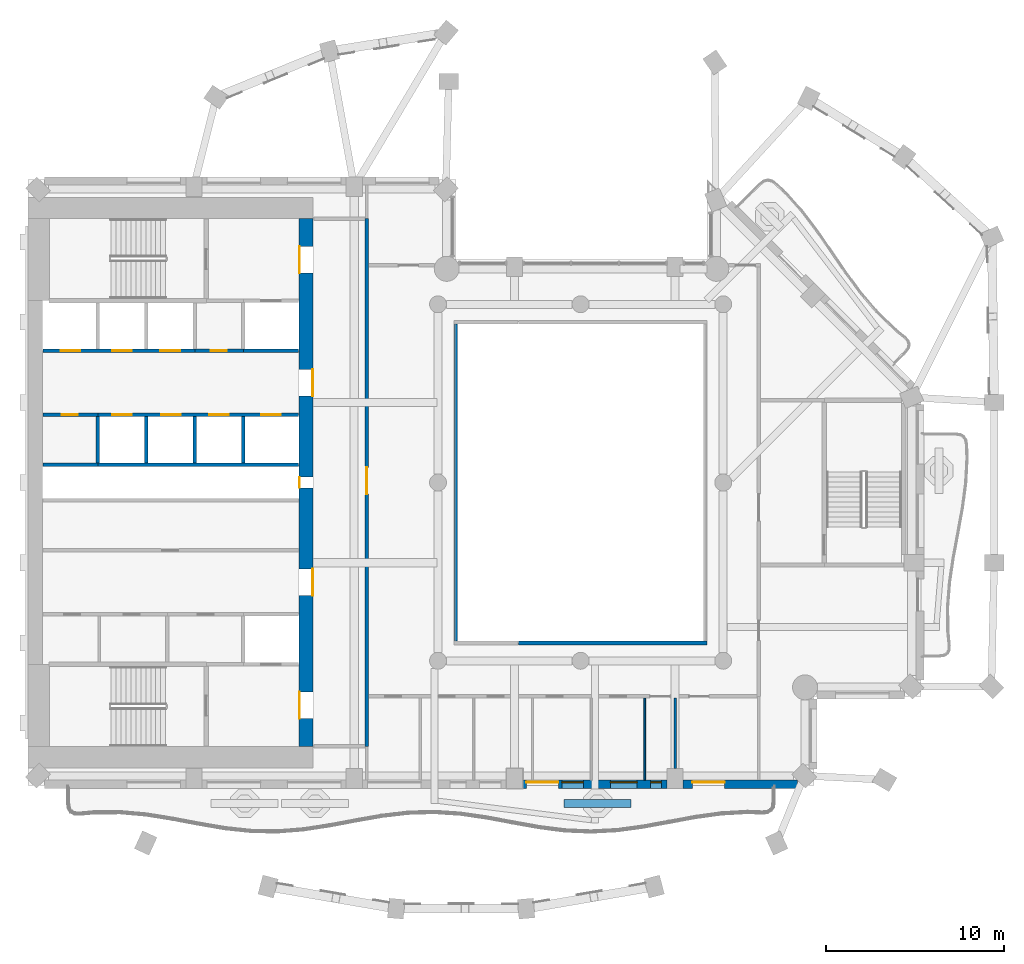
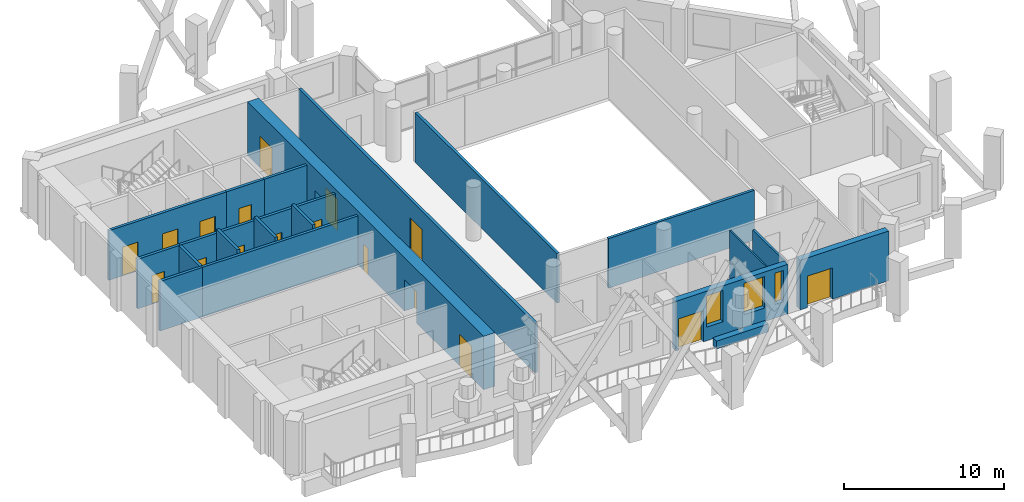
# One storey, part 5 of 16: 20 walls, 17 doors, 3 windows, 20 openings.
"""IFC4 building model written with IfcOpenShell, lengths in metres."""

from ifc_helpers import new_model, si_unit, direction, frame, frame_2d, origin, place, context, subcontext, project, spatial, rectangle, extrude, material, layer, layer_set, type_object, element, fill, save


model = new_model("IFC4")

# Units and contexts
model_context = context("Model", 3, precision=1e-05, world=origin(), true_north=direction((0.0, 1.0)))
body_context = subcontext(model_context, "Body", "Model", "MODEL_VIEW")
ifc_project = project(units=[si_unit("LENGTHUNIT", "METRE"), si_unit("AREAUNIT", "SQUARE_METRE"), si_unit("VOLUMEUNIT", "CUBIC_METRE"), si_unit("PLANEANGLEUNIT", "RADIAN"), si_unit("MASSUNIT", "GRAM", prefix="KILO")], contexts=[model_context])

# Site, building, storey
site_placement = place(None, origin())
site = spatial("IfcSite", under=ifc_project, at=site_placement, CompositionType="ELEMENT")
building_placement = place(site_placement, origin())
building = spatial("IfcBuilding", under=site, at=building_placement, Name="Cypress Arch Tower", CompositionType="ELEMENT")
storey_placement = place(building_placement, frame((0.0, 0.0, 181.0)))
storey = spatial("IfcBuildingStorey", under=building, at=storey_placement, Name="L39", CompositionType="ELEMENT", Elevation=181.0)

# Wall
ifc_material_1 = material(Name="Concrete C40/50, waterproofed", Category="concrete")
ifc_layer_1 = layer(ifc_material_1, 0.449951171875)
ifc_layer_set_1 = layer_set([ifc_layer_1], Name="Balcony planter wall PW450")
wall_type_1 = type_object("IfcWallType", Name="Balcony planter wall PW450", PredefinedType="SOLIDWALL", material=ifc_layer_set_1)
wall_1_placement = place(storey_placement, frame((0.070068359375, -18.0, 0.0), z_axis=(0.0, 0.0, 1.0), x_axis=(1.0, 0.0, 0.0)))
element("IfcWall", 1, at=wall_1_placement, inside=storey, type_object=wall_type_1, Name="Balcony planter wall L39-B01.3", PredefinedType="SOLIDWALL", context=body_context, shape_type="SweptSolid", body=[
    extrude(rectangle(XDim=3.760009765625, YDim=0.449951171875, at=frame_2d((1.8798828125, 0.0))), origin(), (0.0, 0.0, 1.0), 0.60009765625),
])

# Wall, openings, door, windows
ifc_material_2 = material(Name="Brick (red buff blend)", Category="masonry")
ifc_layer_2 = layer(ifc_material_2, 0.449951171875)
ifc_layer_set_2 = layer_set([ifc_layer_2], Name="Brick pier and spandrel wall BW450")
wall_type_2 = type_object("IfcWallType", Name="Brick pier and spandrel wall BW450", PredefinedType="SOLIDWALL", material=ifc_layer_set_2)
wall_2_placement = place(storey_placement, frame((-2.25, -16.925048828125, 0.0), z_axis=(0.0, 0.0, 1.0), x_axis=(1.0, 0.0, 0.0)))
wall_2 = element("IfcWall", 2, at=wall_2_placement, inside=storey, type_object=wall_type_2, Name="Brick wall L39 B01.3", PredefinedType="SOLIDWALL", context=body_context, shape_type="SweptSolid", body=[
    extrude(rectangle(XDim=8.10009765625, YDim=0.449951171875, at=frame_2d((4.050048828125, 0.0))), origin(), (0.0, 0.0, 1.0), 3.800048828125),
])
opening_1_placement = place(wall_2_placement, frame((0.199951171875, 0.0, 0.0)))
opening_1 = element("IfcOpeningElement", 3, at=opening_1_placement, cuts=wall_2, Name="Opening D-L39-B01.3.1", PredefinedType="OPENING", context=body_context, shape_type="SweptSolid", body=[
    extrude(rectangle(XDim=1.800048828125, YDim=2.39990234375, at=frame_2d((0.89990234375, 1.199951171875))), frame((0.0, 0.23486328125, 0.0), z_axis=(0.0, -1.0, 0.0), x_axis=(1.0, 0.0, 0.0)), (0.0, 0.0, 1.0), 0.469970703125),
])
opening_2_placement = place(wall_2_placement, frame((2.199951171875, 0.0, 1.050048828125)))
opening_2 = element("IfcOpeningElement", 4, at=opening_2_placement, cuts=wall_2, Name="Opening W120OD", PredefinedType="OPENING", context=body_context, shape_type="SweptSolid", body=[
    extrude(rectangle(XDim=1.199951171875, YDim=2.39990234375, at=frame_2d((0.60009765625, 1.199951171875))), frame((0.0, 0.23486328125, 0.0), z_axis=(0.0, -1.0, 0.0), x_axis=(1.0, 0.0, 0.0)), (0.0, 0.0, 1.0), 0.469970703125),
])
opening_3_placement = place(wall_2_placement, frame((4.925537109375, 0.0, 1.050048828125)))
opening_3 = element("IfcOpeningElement", 5, at=opening_3_placement, cuts=wall_2, Name="Opening W150OD", PredefinedType="OPENING", context=body_context, shape_type="SweptSolid", body=[
    extrude(rectangle(XDim=1.5, YDim=2.39990234375, at=frame_2d((0.75, 1.199951171875))), frame((0.0, 0.23486328125, 0.0), z_axis=(0.0, -1.0, 0.0), x_axis=(1.0, 0.0, 0.0)), (0.0, 0.0, 1.0), 0.469970703125),
])
opening_4_placement = place(wall_2_placement, frame((7.175537109375, 0.0, 1.050048828125)))
opening_4 = element("IfcOpeningElement", 6, at=opening_4_placement, cuts=wall_2, Name="Opening W060OD", PredefinedType="OPENING", context=body_context, shape_type="SweptSolid", body=[
    extrude(rectangle(XDim=0.60009765625, YDim=2.39990234375, at=frame_2d((0.300048828125, 1.199951171875))), frame((0.0, 0.23486328125, 0.0), z_axis=(0.0, -1.0, 0.0), x_axis=(1.0, 0.0, 0.0)), (0.0, 0.0, 1.0), 0.469970703125),
])
ifc_material_3 = material(Name="Anodised aluminium, bronze finish, laminated low-emissivity double glazing, large-missile impact rated", Category="aluminium")
door_type_1 = type_object("IfcDoorType", Name="Balcony sliding door 1800x2400", OperationType="SLIDING_TO_LEFT", PredefinedType="DOOR", material=ifc_material_3)
door_1_placement = place(opening_1_placement, origin())
door_1 = element("IfcDoor", 7, at=door_1_placement, inside=storey, type_object=door_type_1, Name="Balcony door L39 B01.3.1", OperationType="SLIDING_TO_LEFT", OverallHeight=2.39990234375, OverallWidth=1.800048828125, PredefinedType="DOOR", context=body_context, shape_type="SweptSolid", body=[
    extrude(rectangle(XDim=1.800048828125, YDim=2.39990234375, at=frame_2d((0.89990234375, 1.199951171875))), frame((0.0, 0.1298828125, 0.0), z_axis=(0.0, -1.0, 0.0), x_axis=(1.0, 0.0, 0.0)), (0.0, 0.0, 1.0), 0.050048828125),
])
fill(opening_1, door_1)
ifc_material_4 = material(Name="Anodised aluminium, bronze finish, laminated low-emissivity double glazing, large-missile impact rated", Category="aluminium")
window_type_1 = type_object("IfcWindowType", Name="Window Office 1200x2400 debris-rated", PartitioningType="SINGLE_PANEL", PredefinedType="WINDOW", material=ifc_material_4)
window_1_placement = place(opening_2_placement, origin())
window_1 = element("IfcWindow", 8, at=window_1_placement, inside=storey, type_object=window_type_1, Name="Window L39 B01.3.1", OverallHeight=2.39990234375, OverallWidth=1.199951171875, PartitioningType="SINGLE_PANEL", PredefinedType="WINDOW", context=body_context, shape_type="SweptSolid", body=[
    extrude(rectangle(XDim=1.199951171875, YDim=2.39990234375, at=frame_2d((0.60009765625, 1.199951171875))), frame((0.0, 0.135009765625, 0.0), z_axis=(0.0, -1.0, 0.0), x_axis=(1.0, 0.0, 0.0)), (0.0, 0.0, 1.0), 0.06005859375),
])
fill(opening_2, window_1)
ifc_material_5 = material(Name="Anodised aluminium, bronze finish, laminated low-emissivity double glazing, large-missile impact rated", Category="aluminium")
window_type_2 = type_object("IfcWindowType", Name="Window Office 1500x2400 debris-rated", PartitioningType="SINGLE_PANEL", PredefinedType="WINDOW", material=ifc_material_5)
window_2_placement = place(opening_3_placement, origin())
window_2 = element("IfcWindow", 9, at=window_2_placement, inside=storey, type_object=window_type_2, Name="Window L39 B01.3.2", OverallHeight=2.39990234375, OverallWidth=1.5, PartitioningType="SINGLE_PANEL", PredefinedType="WINDOW", context=body_context, shape_type="SweptSolid", body=[
    extrude(rectangle(XDim=1.5, YDim=2.39990234375, at=frame_2d((0.75, 1.199951171875))), frame((0.0, 0.135009765625, 0.0), z_axis=(0.0, -1.0, 0.0), x_axis=(1.0, 0.0, 0.0)), (0.0, 0.0, 1.0), 0.06005859375),
])
fill(opening_3, window_2)
ifc_material_6 = material(Name="Anodised aluminium, bronze finish, laminated low-emissivity double glazing, large-missile impact rated", Category="aluminium")
window_type_3 = type_object("IfcWindowType", Name="Window Office 600x2400 debris-rated", PartitioningType="SINGLE_PANEL", PredefinedType="WINDOW", material=ifc_material_6)
window_3_placement = place(opening_4_placement, origin())
window_3 = element("IfcWindow", 10, at=window_3_placement, inside=storey, type_object=window_type_3, Name="Window L39 B01.3.2b", OverallHeight=2.39990234375, OverallWidth=0.60009765625, PartitioningType="SINGLE_PANEL", PredefinedType="WINDOW", context=body_context, shape_type="SweptSolid", body=[
    extrude(rectangle(XDim=0.60009765625, YDim=2.39990234375, at=frame_2d((0.300048828125, 1.199951171875))), frame((0.0, 0.135009765625, 0.0), z_axis=(0.0, -1.0, 0.0), x_axis=(1.0, 0.0, 0.0)), (0.0, 0.0, 1.0), 0.06005859375),
])
fill(opening_4, window_3)

# Wall, opening, door
wall_3_placement = place(storey_placement, frame((6.75, -16.925048828125, 0.0), z_axis=(0.0, 0.0, 1.0), x_axis=(1.0, 0.0, 0.0)))
wall_3 = element("IfcWall", 11, at=wall_3_placement, inside=storey, type_object=wall_type_2, Name="Brick wall L39 B01.4", PredefinedType="SOLIDWALL", context=body_context, shape_type="SweptSolid", body=[
    extrude(rectangle(XDim=6.41357421875, YDim=0.449951171875, at=frame_2d((3.206787109375, 0.0))), origin(), (0.0, 0.0, 1.0), 3.800048828125),
])
opening_5_placement = place(wall_3_placement, frame((0.52490234375, 0.0, 0.0)))
opening_5 = element("IfcOpeningElement", 12, at=opening_5_placement, cuts=wall_3, Name="Opening D-L39-B01.4.1", PredefinedType="OPENING", context=body_context, shape_type="SweptSolid", body=[
    extrude(rectangle(XDim=1.800048828125, YDim=2.39990234375, at=frame_2d((0.89990234375, 1.199951171875))), frame((0.0, 0.23486328125, 0.0), z_axis=(0.0, -1.0, 0.0), x_axis=(1.0, 0.0, 0.0)), (0.0, 0.0, 1.0), 0.469970703125),
])
door_2_placement = place(opening_5_placement, origin())
door_2 = element("IfcDoor", 13, at=door_2_placement, inside=storey, type_object=door_type_1, Name="Balcony door L39 B01.4.1", OperationType="SLIDING_TO_LEFT", OverallHeight=2.39990234375, OverallWidth=1.800048828125, PredefinedType="DOOR", context=body_context, shape_type="SweptSolid", body=[
    extrude(rectangle(XDim=1.800048828125, YDim=2.39990234375, at=frame_2d((0.89990234375, 1.199951171875))), frame((0.0, 0.1298828125, 0.0), z_axis=(0.0, -1.0, 0.0), x_axis=(1.0, 0.0, 0.0)), (0.0, 0.0, 1.0), 0.050048828125),
])
fill(opening_5, door_2)

# Wall, openings, doors
ifc_material_7 = material(Name="Concrete C70/85", Category="concrete")
ifc_layer_3 = layer(ifc_material_7, 0.800048828125)
ifc_layer_set_3 = layer_set([ifc_layer_3], Name="Core wall CW800 C70/85")
wall_type_3 = type_object("IfcWallType", Name="Core wall CW800 C70/85", PredefinedType="SHEAR", material=ifc_layer_set_3)
wall_4_placement = place(storey_placement, frame((-14.39990234375, -14.800048828125, 0.0), z_axis=(0.0, 0.0, 1.0), x_axis=(0.0, 1.0, 0.0)))
wall_4 = element("IfcWall", 14, at=wall_4_placement, inside=storey, type_object=wall_type_3, Name="Core wall", PredefinedType="SHEAR", context=body_context, shape_type="SweptSolid", body=[
    extrude(rectangle(XDim=29.60009765625, YDim=0.800048828125, at=frame_2d((14.800048828125, 0.0))), origin(), (0.0, 0.0, 1.0), 4.10009765625),
])
opening_6_placement = place(wall_4_placement, frame((1.550048828125, 0.0, 0.0)))
opening_6 = element("IfcOpeningElement", 15, at=opening_6_placement, cuts=wall_4, Name="Opening D07", PredefinedType="OPENING", context=body_context, shape_type="SweptSolid", body=[
    extrude(rectangle(XDim=1.5, YDim=2.39990234375, at=frame_2d((0.75, 1.199951171875))), frame((0.0, 0.409912109375, 0.0), z_axis=(0.0, -1.0, 0.0), x_axis=(1.0, 0.0, 0.0)), (0.0, 0.0, 1.0), 0.820068359375),
])
opening_7_placement = place(wall_4_placement, frame((26.550048828125, 0.0, 0.0)))
opening_7 = element("IfcOpeningElement", 16, at=opening_7_placement, cuts=wall_4, Name="Opening D07", PredefinedType="OPENING", context=body_context, shape_type="SweptSolid", body=[
    extrude(rectangle(XDim=1.5, YDim=2.39990234375, at=frame_2d((0.75, 1.199951171875))), frame((0.0, 0.409912109375, 0.0), z_axis=(0.0, -1.0, 0.0), x_axis=(1.0, 0.0, 0.0)), (0.0, 0.0, 1.0), 0.820068359375),
])
opening_8_placement = place(wall_4_placement, frame((8.449951171875, 0.0, 0.0)))
opening_8 = element("IfcOpeningElement", 17, at=opening_8_placement, cuts=wall_4, Name="Opening D07", PredefinedType="OPENING", context=body_context, shape_type="SweptSolid", body=[
    extrude(rectangle(XDim=1.5, YDim=2.39990234375, at=frame_2d((0.75, 1.199951171875))), frame((0.0, 0.409912109375, 0.0), z_axis=(0.0, -1.0, 0.0), x_axis=(1.0, 0.0, 0.0)), (0.0, 0.0, 1.0), 0.820068359375),
])
opening_9_placement = place(wall_4_placement, frame((19.64990234375, 0.0, 0.0)))
opening_9 = element("IfcOpeningElement", 18, at=opening_9_placement, cuts=wall_4, Name="Opening D07", PredefinedType="OPENING", context=body_context, shape_type="SweptSolid", body=[
    extrude(rectangle(XDim=1.5, YDim=2.39990234375, at=frame_2d((0.75, 1.199951171875))), frame((0.0, 0.409912109375, 0.0), z_axis=(0.0, -1.0, 0.0), x_axis=(1.0, 0.0, 0.0)), (0.0, 0.0, 1.0), 0.820068359375),
])
opening_10_placement = place(wall_4_placement, frame((14.5, 0.0, 0.0)))
opening_10 = element("IfcOpeningElement", 19, at=opening_10_placement, cuts=wall_4, Name="Opening D08", PredefinedType="OPENING", context=body_context, shape_type="SweptSolid", body=[
    extrude(rectangle(XDim=0.60009765625, YDim=2.0, at=frame_2d((0.300048828125, 1.0))), frame((0.0, 0.409912109375, 0.0), z_axis=(0.0, -1.0, 0.0), x_axis=(1.0, 0.0, 0.0)), (0.0, 0.0, 1.0), 0.820068359375),
])
ifc_material_8 = material(Name="Steel framed glazed door, fire resisting", Category="steel")
door_type_2 = type_object("IfcDoorType", Name="Lobby door D07 1500x2400", OperationType="DOUBLE_DOOR_SINGLE_SWING", PredefinedType="DOOR", material=ifc_material_8)
door_3_placement = place(opening_6_placement, origin())
door_3 = element("IfcDoor", 20, at=door_3_placement, inside=storey, type_object=door_type_2, Name="Lobby door", OperationType="DOUBLE_DOOR_SINGLE_SWING", OverallHeight=2.39990234375, OverallWidth=1.5, PredefinedType="DOOR", context=body_context, shape_type="SweptSolid", body=[
    extrude(rectangle(XDim=1.5, YDim=2.39990234375, at=frame_2d((0.75, 1.199951171875))), frame((0.0, 0.39501953125, 0.0), z_axis=(0.0, -1.0, 0.0), x_axis=(1.0, 0.0, 0.0)), (0.0, 0.0, 1.0), 0.050048828125),
])
fill(opening_6, door_3)
door_4_placement = place(opening_7_placement, origin())
door_4 = element("IfcDoor", 21, at=door_4_placement, inside=storey, type_object=door_type_2, Name="Lobby door", OperationType="DOUBLE_DOOR_SINGLE_SWING", OverallHeight=2.39990234375, OverallWidth=1.5, PredefinedType="DOOR", context=body_context, shape_type="SweptSolid", body=[
    extrude(rectangle(XDim=1.5, YDim=2.39990234375, at=frame_2d((0.75, 1.199951171875))), frame((0.0, 0.39501953125, 0.0), z_axis=(0.0, -1.0, 0.0), x_axis=(1.0, 0.0, 0.0)), (0.0, 0.0, 1.0), 0.050048828125),
])
fill(opening_7, door_4)
door_5_placement = place(opening_8_placement, origin())
door_5 = element("IfcDoor", 22, at=door_5_placement, inside=storey, type_object=door_type_2, Name="Lobby door", OperationType="DOUBLE_DOOR_SINGLE_SWING", OverallHeight=2.39990234375, OverallWidth=1.5, PredefinedType="DOOR", context=body_context, shape_type="SweptSolid", body=[
    extrude(rectangle(XDim=1.5, YDim=2.39990234375, at=frame_2d((0.75, 1.199951171875))), frame((0.0, -0.34521484375, 0.0), z_axis=(0.0, -1.0, 0.0), x_axis=(1.0, 0.0, 0.0)), (0.0, 0.0, 1.0), 0.050048828125),
])
fill(opening_8, door_5)
door_6_placement = place(opening_9_placement, origin())
door_6 = element("IfcDoor", 23, at=door_6_placement, inside=storey, type_object=door_type_2, Name="Lobby door", OperationType="DOUBLE_DOOR_SINGLE_SWING", OverallHeight=2.39990234375, OverallWidth=1.5, PredefinedType="DOOR", context=body_context, shape_type="SweptSolid", body=[
    extrude(rectangle(XDim=1.5, YDim=2.39990234375, at=frame_2d((0.75, 1.199951171875))), frame((0.0, -0.34521484375, 0.0), z_axis=(0.0, -1.0, 0.0), x_axis=(1.0, 0.0, 0.0)), (0.0, 0.0, 1.0), 0.050048828125),
])
fill(opening_9, door_6)
ifc_material_9 = material(Name="Steel access door, fire resisting", Category="steel")
door_type_3 = type_object("IfcDoorType", Name="Riser access door D08 600x2000", OperationType="SINGLE_SWING_LEFT", PredefinedType="DOOR", material=ifc_material_9)
door_7_placement = place(opening_10_placement, origin())
door_7 = element("IfcDoor", 24, at=door_7_placement, inside=storey, type_object=door_type_3, Name="Riser access door", OperationType="SINGLE_SWING_RIGHT", OverallHeight=2.0, OverallWidth=0.60009765625, PredefinedType="DOOR", context=body_context, shape_type="SweptSolid", body=[
    extrude(rectangle(XDim=0.60009765625, YDim=2.0, at=frame_2d((0.300048828125, 1.0))), frame((0.0, 0.39501953125, 0.0), z_axis=(0.0, -1.0, 0.0), x_axis=(1.0, 0.0, 0.0)), (0.0, 0.0, 1.0), 0.050048828125),
])
fill(opening_10, door_7)

# Wall, opening, door
ifc_material_10 = material(Name="Concrete blockwork, plastered, rated", Category="masonry")
ifc_layer_4 = layer(ifc_material_10, 0.199951171875)
ifc_layer_set_4 = layer_set([ifc_layer_4], Name="Corridor wall FW200")
wall_type_4 = type_object("IfcWallType", Name="Corridor wall FW200", PredefinedType="PARTITIONING", material=ifc_layer_set_4)
wall_5_placement = place(storey_placement, frame((-29.169921875, 3.800048828125, 0.0), z_axis=(0.0, 0.0, 1.0), x_axis=(1.0, 0.0, 0.0)))
wall_5 = element("IfcWall", 25, at=wall_5_placement, inside=storey, type_object=wall_type_4, Name="Corridor wall", PredefinedType="PARTITIONING", context=body_context, shape_type="SweptSolid", body=[
    extrude(rectangle(XDim=3.08984375, YDim=0.199951171875, at=frame_2d((1.544921875, 0.0))), origin(), (0.0, 0.0, 1.0), 3.800048828125),
])
opening_11_placement = place(wall_5_placement, frame((1.050048828125, 0.0, 0.0)))
opening_11 = element("IfcOpeningElement", 26, at=opening_11_placement, cuts=wall_5, Name="Opening D05", PredefinedType="OPENING", context=body_context, shape_type="SweptSolid", body=[
    extrude(rectangle(XDim=0.89990234375, YDim=2.199951171875, at=frame_2d((0.449951171875, 1.10009765625))), frame((0.0, 0.10986328125, 0.0), z_axis=(0.0, -1.0, 0.0), x_axis=(1.0, 0.0, 0.0)), (0.0, 0.0, 1.0), 0.219970703125),
])
ifc_material_11 = material(Name="Timber flush door", Category="wood")
door_type_4 = type_object("IfcDoorType", Name="Service door D05 900x2200", OperationType="SINGLE_SWING_LEFT", PredefinedType="DOOR", material=ifc_material_11)
door_8_placement = place(opening_11_placement, origin())
door_8 = element("IfcDoor", 27, at=door_8_placement, inside=storey, type_object=door_type_4, Name="Service door", OperationType="SINGLE_SWING_LEFT", OverallHeight=2.199951171875, OverallWidth=0.89990234375, PredefinedType="DOOR", context=body_context, shape_type="SweptSolid", body=[
    extrude(rectangle(XDim=0.89990234375, YDim=2.199951171875, at=frame_2d((0.449951171875, 1.10009765625))), frame((0.0, 0.02490234375, 0.0), z_axis=(0.0, -1.0, 0.0), x_axis=(1.0, 0.0, 0.0)), (0.0, 0.0, 1.0), 0.050048828125),
])
fill(opening_11, door_8)

wall_6_placement = place(storey_placement, frame((-11.0, -14.800048828125, 0.0), z_axis=(0.0, 0.0, 1.0), x_axis=(0.0, 1.0, 0.0)))
wall_6 = element("IfcWall", 28, at=wall_6_placement, inside=storey, type_object=wall_type_4, Name="Corridor wall", PredefinedType="PARTITIONING", context=body_context, shape_type="SweptSolid", body=[
    extrude(rectangle(XDim=29.60009765625, YDim=0.199951171875, at=frame_2d((14.800048828125, 0.0))), origin(), (0.0, 0.0, 1.0), 3.800048828125),
])
opening_12_placement = place(wall_6_placement, frame((14.14990234375, 0.0, 0.0)))
opening_12 = element("IfcOpeningElement", 29, at=opening_12_placement, cuts=wall_6, Name="Opening D07", PredefinedType="OPENING", context=body_context, shape_type="SweptSolid", body=[
    extrude(rectangle(XDim=1.5, YDim=2.39990234375, at=frame_2d((0.75, 1.199951171875))), frame((0.0, 0.10986328125, 0.0), z_axis=(0.0, -1.0, 0.0), x_axis=(1.0, 0.0, 0.0)), (0.0, 0.0, 1.0), 0.219970703125),
])
door_9_placement = place(opening_12_placement, origin())
door_9 = element("IfcDoor", 30, at=door_9_placement, inside=storey, type_object=door_type_2, Name="Lobby door", OperationType="DOUBLE_DOOR_SINGLE_SWING", OverallHeight=2.39990234375, OverallWidth=1.5, PredefinedType="DOOR", context=body_context, shape_type="SweptSolid", body=[
    extrude(rectangle(XDim=1.5, YDim=2.39990234375, at=frame_2d((0.75, 1.199951171875))), frame((0.0, 0.02490234375, 0.0), z_axis=(0.0, -1.0, 0.0), x_axis=(1.0, 0.0, 0.0)), (0.0, 0.0, 1.0), 0.050048828125),
])
fill(opening_12, door_9)

# Walls
wall_7_placement = place(storey_placement, frame((-6.0, -8.89990234375, 0.0), z_axis=(0.0, 0.0, 1.0), x_axis=(0.0, 1.0, 0.0)))
element("IfcWall", 31, at=wall_7_placement, inside=storey, type_object=wall_type_4, Name="Corridor wall", PredefinedType="PARTITIONING", context=body_context, shape_type="SweptSolid", body=[
    extrude(rectangle(XDim=17.7998046875, YDim=0.199951171875, at=frame_2d((8.89990234375, 0.0))), origin(), (0.0, 0.0, 1.0), 3.800048828125),
])
wall_8_placement = place(storey_placement, frame((-2.47998046875, -9.0, 0.0), z_axis=(0.0, 0.0, 1.0), x_axis=(1.0, 0.0, 0.0)))
element("IfcWall", 32, at=wall_8_placement, inside=storey, type_object=wall_type_4, Name="Corridor wall", PredefinedType="PARTITIONING", context=body_context, shape_type="SweptSolid", body=[
    extrude(rectangle(XDim=10.580078125, YDim=0.199951171875, at=frame_2d((5.2900390625, 0.0))), origin(), (0.0, 0.0, 1.0), 3.800048828125),
])
ifc_material_12 = material(Name="Blockwork, plastered both sides", Category="masonry")
ifc_layer_5 = layer(ifc_material_12, 0.14990234375)
ifc_layer_set_5 = layer_set([ifc_layer_5], Name="Partition PW150")
wall_type_5 = type_object("IfcWallType", Name="Partition PW150", PredefinedType="PARTITIONING", material=ifc_layer_set_5)
wall_9_placement = place(storey_placement, frame((6.300048828125, -16.050048828125, 0.0), z_axis=(0.0, 0.0, 1.0), x_axis=(0.0, 1.0, 0.0)))
element("IfcWall", 33, at=wall_9_placement, inside=storey, type_object=wall_type_5, Name="Partition", PredefinedType="PARTITIONING", context=body_context, shape_type="SweptSolid", body=[
    extrude(rectangle(XDim=3.949951171875, YDim=0.14990234375, at=frame_2d((1.97509765625, 0.0))), origin(), (0.0, 0.0, 1.0), 3.25),
])
ifc_material_13 = material(Name="Reinforced blockwork, plastered, rated", Category="masonry")
ifc_layer_6 = layer(ifc_material_13, 0.199951171875)
ifc_layer_set_6 = layer_set([ifc_layer_6], Name="Plant and riser wall PL200")
wall_type_6 = type_object("IfcWallType", Name="Plant and riser wall PL200", PredefinedType="PARTITIONING", material=ifc_layer_set_6)
wall_10_placement = place(storey_placement, frame((-29.169921875, 1.0, 0.0), z_axis=(0.0, 0.0, 1.0), x_axis=(1.0, 0.0, 0.0)))
element("IfcWall", 34, at=wall_10_placement, inside=storey, type_object=wall_type_6, Name="Plant and riser wall", PredefinedType="PARTITIONING", context=body_context, shape_type="SweptSolid", body=[
    extrude(rectangle(XDim=3.08984375, YDim=0.199951171875, at=frame_2d((1.544921875, 0.0))), origin(), (0.0, 0.0, 1.0), 3.800048828125),
])

# Wall, opening, door
wall_11_placement = place(storey_placement, frame((-20.639892578125, 7.39990234375, 0.0), z_axis=(0.0, 0.0, 1.0), x_axis=(1.0, 0.0, 0.0)))
wall_11 = element("IfcWall", 35, at=wall_11_placement, inside=storey, type_object=wall_type_6, Name="Plant and riser wall", PredefinedType="PARTITIONING", context=body_context, shape_type="SweptSolid", body=[
    extrude(rectangle(XDim=2.719970703125, YDim=0.199951171875, at=frame_2d((1.35986328125, 0.0))), origin(), (0.0, 0.0, 1.0), 3.800048828125),
])
opening_13_placement = place(wall_11_placement, frame((0.89990234375, 0.0, 0.0)))
opening_13 = element("IfcOpeningElement", 36, at=opening_13_placement, cuts=wall_11, Name="Opening D05", PredefinedType="OPENING", context=body_context, shape_type="SweptSolid", body=[
    extrude(rectangle(XDim=0.89990234375, YDim=2.199951171875, at=frame_2d((0.449951171875, 1.10009765625))), frame((0.0, 0.10986328125, 0.0), z_axis=(0.0, -1.0, 0.0), x_axis=(1.0, 0.0, 0.0)), (0.0, 0.0, 1.0), 0.219970703125),
])
door_10_placement = place(opening_13_placement, origin())
door_10 = element("IfcDoor", 37, at=door_10_placement, inside=storey, type_object=door_type_4, Name="Service door", OperationType="SINGLE_SWING_LEFT", OverallHeight=2.199951171875, OverallWidth=0.89990234375, PredefinedType="DOOR", context=body_context, shape_type="SweptSolid", body=[
    extrude(rectangle(XDim=0.89990234375, YDim=2.199951171875, at=frame_2d((0.449951171875, 1.10009765625))), frame((0.0, 0.02490234375, 0.0), z_axis=(0.0, -1.0, 0.0), x_axis=(1.0, 0.0, 0.0)), (0.0, 0.0, 1.0), 0.050048828125),
])
fill(opening_13, door_10)

# Wall, openings, doors
ifc_material_14 = material(Name="Concrete C50/60", Category="concrete")
ifc_layer_7 = layer(ifc_material_14, 0.199951171875)
ifc_layer_set_7 = layer_set([ifc_layer_7], Name="Shaft wall SH200")
wall_type_7 = type_object("IfcWallType", Name="Shaft wall SH200", PredefinedType="SHEAR", material=ifc_layer_set_7)
wall_12_placement = place(storey_placement, frame((-29.169921875, 7.39990234375, 0.0), z_axis=(0.0, 0.0, 1.0), x_axis=(1.0, 0.0, 0.0)))
wall_12 = element("IfcWall", 38, at=wall_12_placement, inside=storey, type_object=wall_type_7, Name="Shaft wall", PredefinedType="SHEAR", context=body_context, shape_type="SweptSolid", body=[
    extrude(rectangle(XDim=8.530029296875, YDim=0.199951171875, at=frame_2d((4.26513671875, 0.0))), origin(), (0.0, 0.0, 1.0), 3.800048828125),
])
opening_14_placement = place(wall_12_placement, frame((1.0, 0.0, 0.0)))
opening_14 = element("IfcOpeningElement", 39, at=opening_14_placement, cuts=wall_12, Name="Opening LD-HR5", PredefinedType="OPENING", context=body_context, shape_type="SweptSolid", body=[
    extrude(rectangle(XDim=1.10009765625, YDim=2.199951171875, at=frame_2d((0.550048828125, 1.10009765625))), frame((0.0, 0.10986328125, 0.0), z_axis=(0.0, -1.0, 0.0), x_axis=(1.0, 0.0, 0.0)), (0.0, 0.0, 1.0), 0.219970703125),
])
opening_15_placement = place(wall_12_placement, frame((3.89990234375, 0.0, 0.0)))
opening_15 = element("IfcOpeningElement", 40, at=opening_15_placement, cuts=wall_12, Name="Opening LD-HR6", PredefinedType="OPENING", context=body_context, shape_type="SweptSolid", body=[
    extrude(rectangle(XDim=1.10009765625, YDim=2.199951171875, at=frame_2d((0.550048828125, 1.10009765625))), frame((0.0, 0.10986328125, 0.0), z_axis=(0.0, -1.0, 0.0), x_axis=(1.0, 0.0, 0.0)), (0.0, 0.0, 1.0), 0.219970703125),
])
opening_16_placement = place(wall_12_placement, frame((6.60009765625, 0.0, 0.0)))
opening_16 = element("IfcOpeningElement", 41, at=opening_16_placement, cuts=wall_12, Name="Opening LD-HR7", PredefinedType="OPENING", context=body_context, shape_type="SweptSolid", body=[
    extrude(rectangle(XDim=1.10009765625, YDim=2.199951171875, at=frame_2d((0.550048828125, 1.10009765625))), frame((0.0, 0.10986328125, 0.0), z_axis=(0.0, -1.0, 0.0), x_axis=(1.0, 0.0, 0.0)), (0.0, 0.0, 1.0), 0.219970703125),
])
ifc_material_15 = material(Name="Stainless steel centre-opening landing door, rated", Category="steel")
door_type_5 = type_object("IfcDoorType", Name="Lift landing door LD 1100x2200", OperationType="DOUBLE_DOOR_SLIDING", PredefinedType="DOOR", material=ifc_material_15)
door_11_placement = place(opening_14_placement, origin())
door_11 = element("IfcDoor", 42, at=door_11_placement, inside=storey, type_object=door_type_5, Name="Lift landing doors HR5", OperationType="DOUBLE_DOOR_SLIDING", OverallHeight=2.199951171875, OverallWidth=1.10009765625, PredefinedType="DOOR", context=body_context, shape_type="SweptSolid", body=[
    extrude(rectangle(XDim=1.10009765625, YDim=2.199951171875, at=frame_2d((0.550048828125, 1.10009765625))), frame((0.0, 0.02490234375, 0.0), z_axis=(0.0, -1.0, 0.0), x_axis=(1.0, 0.0, 0.0)), (0.0, 0.0, 1.0), 0.050048828125),
])
fill(opening_14, door_11)
door_12_placement = place(opening_15_placement, origin())
door_12 = element("IfcDoor", 43, at=door_12_placement, inside=storey, type_object=door_type_5, Name="Lift landing doors HR6", OperationType="DOUBLE_DOOR_SLIDING", OverallHeight=2.199951171875, OverallWidth=1.10009765625, PredefinedType="DOOR", context=body_context, shape_type="SweptSolid", body=[
    extrude(rectangle(XDim=1.10009765625, YDim=2.199951171875, at=frame_2d((0.550048828125, 1.10009765625))), frame((0.0, 0.02490234375, 0.0), z_axis=(0.0, -1.0, 0.0), x_axis=(1.0, 0.0, 0.0)), (0.0, 0.0, 1.0), 0.050048828125),
])
fill(opening_15, door_12)
door_13_placement = place(opening_16_placement, origin())
door_13 = element("IfcDoor", 44, at=door_13_placement, inside=storey, type_object=door_type_5, Name="Lift landing doors HR7", OperationType="DOUBLE_DOOR_SLIDING", OverallHeight=2.199951171875, OverallWidth=1.10009765625, PredefinedType="DOOR", context=body_context, shape_type="SweptSolid", body=[
    extrude(rectangle(XDim=1.10009765625, YDim=2.199951171875, at=frame_2d((0.550048828125, 1.10009765625))), frame((0.0, 0.02490234375, 0.0), z_axis=(0.0, -1.0, 0.0), x_axis=(1.0, 0.0, 0.0)), (0.0, 0.0, 1.0), 0.050048828125),
])
fill(opening_16, door_13)

# Walls
wall_13_placement = place(storey_placement, frame((-26.080078125, 1.10009765625, 0.0), z_axis=(0.0, 0.0, 1.0), x_axis=(0.0, 1.0, 0.0)))
element("IfcWall", 45, at=wall_13_placement, inside=storey, type_object=wall_type_7, Name="Shaft wall", PredefinedType="SHEAR", context=body_context, shape_type="SweptSolid", body=[
    extrude(rectangle(XDim=2.599853515625, YDim=0.199951171875, at=frame_2d((1.2998046875, 0.0))), origin(), (0.0, 0.0, 1.0), 3.800048828125),
])
wall_14_placement = place(storey_placement, frame((-26.080078125, 1.0, 0.0), z_axis=(0.0, 0.0, 1.0), x_axis=(1.0, 0.0, 0.0)))
element("IfcWall", 46, at=wall_14_placement, inside=storey, type_object=wall_type_7, Name="Shaft wall", PredefinedType="SHEAR", context=body_context, shape_type="SweptSolid", body=[
    extrude(rectangle(XDim=11.25, YDim=0.199951171875, at=frame_2d((5.625, 0.0))), origin(), (0.0, 0.0, 1.0), 3.800048828125),
])

# Wall, openings, doors
wall_15_placement = place(storey_placement, frame((-26.080078125, 3.800048828125, 0.0), z_axis=(0.0, 0.0, 1.0), x_axis=(1.0, 0.0, 0.0)))
wall_15 = element("IfcWall", 47, at=wall_15_placement, inside=storey, type_object=wall_type_7, Name="Shaft wall", PredefinedType="SHEAR", context=body_context, shape_type="SweptSolid", body=[
    extrude(rectangle(XDim=11.25, YDim=0.199951171875, at=frame_2d((5.625, 0.0))), origin(), (0.0, 0.0, 1.0), 3.800048828125),
])
opening_17_placement = place(wall_15_placement, frame((0.800048828125, 0.0, 0.0)))
opening_17 = element("IfcOpeningElement", 48, at=opening_17_placement, cuts=wall_15, Name="Opening LD-HR1", PredefinedType="OPENING", context=body_context, shape_type="SweptSolid", body=[
    extrude(rectangle(XDim=1.10009765625, YDim=2.199951171875, at=frame_2d((0.550048828125, 1.10009765625))), frame((0.0, 0.10986328125, 0.0), z_axis=(0.0, -1.0, 0.0), x_axis=(1.0, 0.0, 0.0)), (0.0, 0.0, 1.0), 0.219970703125),
])
opening_18_placement = place(wall_15_placement, frame((3.550048828125, 0.0, 0.0)))
opening_18 = element("IfcOpeningElement", 49, at=opening_18_placement, cuts=wall_15, Name="Opening LD-HR2", PredefinedType="OPENING", context=body_context, shape_type="SweptSolid", body=[
    extrude(rectangle(XDim=1.10009765625, YDim=2.199951171875, at=frame_2d((0.550048828125, 1.10009765625))), frame((0.0, 0.10986328125, 0.0), z_axis=(0.0, -1.0, 0.0), x_axis=(1.0, 0.0, 0.0)), (0.0, 0.0, 1.0), 0.219970703125),
])
opening_19_placement = place(wall_15_placement, frame((6.25, 0.0, 0.0)))
opening_19 = element("IfcOpeningElement", 50, at=opening_19_placement, cuts=wall_15, Name="Opening LD-HR3", PredefinedType="OPENING", context=body_context, shape_type="SweptSolid", body=[
    extrude(rectangle(XDim=1.10009765625, YDim=2.199951171875, at=frame_2d((0.550048828125, 1.10009765625))), frame((0.0, 0.10986328125, 0.0), z_axis=(0.0, -1.0, 0.0), x_axis=(1.0, 0.0, 0.0)), (0.0, 0.0, 1.0), 0.219970703125),
])
opening_20_placement = place(wall_15_placement, frame((9.14990234375, 0.0, 0.0)))
opening_20 = element("IfcOpeningElement", 51, at=opening_20_placement, cuts=wall_15, Name="Opening LD-HR4", PredefinedType="OPENING", context=body_context, shape_type="SweptSolid", body=[
    extrude(rectangle(XDim=1.10009765625, YDim=2.199951171875, at=frame_2d((0.550048828125, 1.10009765625))), frame((0.0, 0.10986328125, 0.0), z_axis=(0.0, -1.0, 0.0), x_axis=(1.0, 0.0, 0.0)), (0.0, 0.0, 1.0), 0.219970703125),
])
door_14_placement = place(opening_17_placement, origin())
door_14 = element("IfcDoor", 52, at=door_14_placement, inside=storey, type_object=door_type_5, Name="Lift landing doors HR1", OperationType="DOUBLE_DOOR_SLIDING", OverallHeight=2.199951171875, OverallWidth=1.10009765625, PredefinedType="DOOR", context=body_context, shape_type="SweptSolid", body=[
    extrude(rectangle(XDim=1.10009765625, YDim=2.199951171875, at=frame_2d((0.550048828125, 1.10009765625))), frame((0.0, 0.02490234375, 0.0), z_axis=(0.0, -1.0, 0.0), x_axis=(1.0, 0.0, 0.0)), (0.0, 0.0, 1.0), 0.050048828125),
])
fill(opening_17, door_14)
door_15_placement = place(opening_18_placement, origin())
door_15 = element("IfcDoor", 53, at=door_15_placement, inside=storey, type_object=door_type_5, Name="Lift landing doors HR2", OperationType="DOUBLE_DOOR_SLIDING", OverallHeight=2.199951171875, OverallWidth=1.10009765625, PredefinedType="DOOR", context=body_context, shape_type="SweptSolid", body=[
    extrude(rectangle(XDim=1.10009765625, YDim=2.199951171875, at=frame_2d((0.550048828125, 1.10009765625))), frame((0.0, 0.02490234375, 0.0), z_axis=(0.0, -1.0, 0.0), x_axis=(1.0, 0.0, 0.0)), (0.0, 0.0, 1.0), 0.050048828125),
])
fill(opening_18, door_15)
door_16_placement = place(opening_19_placement, origin())
door_16 = element("IfcDoor", 54, at=door_16_placement, inside=storey, type_object=door_type_5, Name="Lift landing doors HR3", OperationType="DOUBLE_DOOR_SLIDING", OverallHeight=2.199951171875, OverallWidth=1.10009765625, PredefinedType="DOOR", context=body_context, shape_type="SweptSolid", body=[
    extrude(rectangle(XDim=1.10009765625, YDim=2.199951171875, at=frame_2d((0.550048828125, 1.10009765625))), frame((0.0, 0.02490234375, 0.0), z_axis=(0.0, -1.0, 0.0), x_axis=(1.0, 0.0, 0.0)), (0.0, 0.0, 1.0), 0.050048828125),
])
fill(opening_19, door_16)
door_17_placement = place(opening_20_placement, origin())
door_17 = element("IfcDoor", 55, at=door_17_placement, inside=storey, type_object=door_type_5, Name="Lift landing doors HR4", OperationType="DOUBLE_DOOR_SLIDING", OverallHeight=2.199951171875, OverallWidth=1.10009765625, PredefinedType="DOOR", context=body_context, shape_type="SweptSolid", body=[
    extrude(rectangle(XDim=1.10009765625, YDim=2.199951171875, at=frame_2d((0.550048828125, 1.10009765625))), frame((0.0, 0.02490234375, 0.0), z_axis=(0.0, -1.0, 0.0), x_axis=(1.0, 0.0, 0.0)), (0.0, 0.0, 1.0), 0.050048828125),
])
fill(opening_20, door_17)

# Walls
for number, where, z_axis, x_axis, name in (
    (56, (-23.360107421875, 1.10009765625, 0.0), (0.0, 0.0, 1.0), (0.0, 1.0, 0.0), "Shaft wall"),
    (57, (-20.639892578125, 1.10009765625, 0.0), (0.0, 0.0, 1.0), (0.0, 1.0, 0.0), "Shaft wall"),
    (58, (-17.919921875, 1.10009765625, 0.0), (0.0, 0.0, 1.0), (0.0, 1.0, 0.0), "Shaft wall"),
):
    element("IfcWall", number, at=place(storey_placement, frame(where, z_axis=z_axis, x_axis=x_axis)), inside=storey, type_object=wall_type_7, Name=name, PredefinedType="SHEAR", context=body_context, shape_type="SweptSolid", body=[
        extrude(rectangle(XDim=2.599853515625, YDim=0.199951171875, at=frame_2d((1.2998046875, 0.0))), origin(), (0.0, 0.0, 1.0), 4.10009765625),
    ])
wall_16_placement = place(storey_placement, frame((-17.919921875, 7.39990234375, 0.0), z_axis=(0.0, 0.0, 1.0), x_axis=(1.0, 0.0, 0.0)))
element("IfcWall", 59, at=wall_16_placement, inside=storey, type_object=wall_type_7, Name="Shaft wall", PredefinedType="SHEAR", context=body_context, shape_type="SweptSolid", body=[
    extrude(rectangle(XDim=3.08984375, YDim=0.199951171875, at=frame_2d((1.544921875, 0.0))), origin(), (0.0, 0.0, 1.0), 3.800048828125),
])
ifc_material_16 = material(Name="Moisture resistant board on steel studs, tiled", Category="steel")
ifc_layer_8 = layer(ifc_material_16, 0.10009765625)
ifc_layer_set_8 = layer_set([ifc_layer_8], Name="Wet wall PW100")
wall_type_8 = type_object("IfcWallType", Name="Wet wall PW100", PredefinedType="PARTITIONING", material=ifc_layer_set_8)
wall_17_placement = place(storey_placement, frame((4.60107421875, -16.699951171875, 0.0), z_axis=(0.0, 0.0, 1.0), x_axis=(0.0, 1.0, 0.0)))
element("IfcWall", 60, at=wall_17_placement, inside=storey, type_object=wall_type_8, Name="Wet wall", PredefinedType="PARTITIONING", context=body_context, shape_type="SweptSolid", body=[
    extrude(rectangle(XDim=4.599853515625, YDim=0.10009765625, at=frame_2d((2.2998046875, 0.0))), origin(), (0.0, 0.0, 1.0), 3.800048828125),
])

save(model, "model.ifc")
